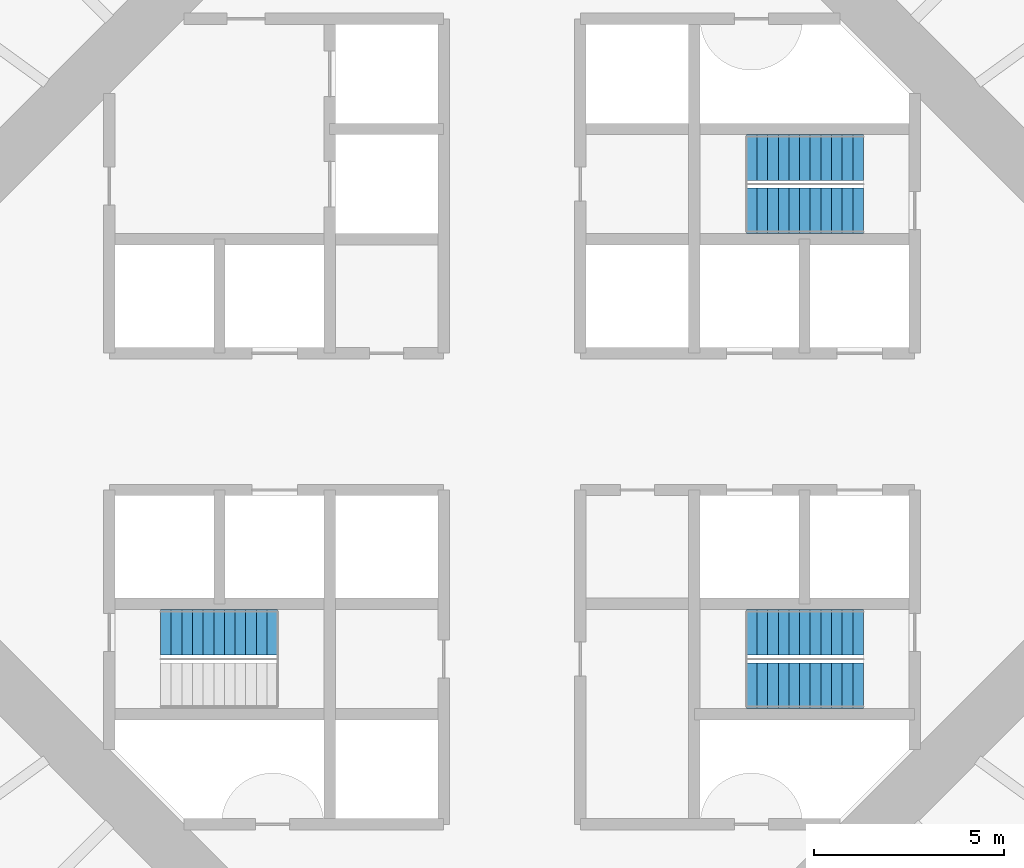
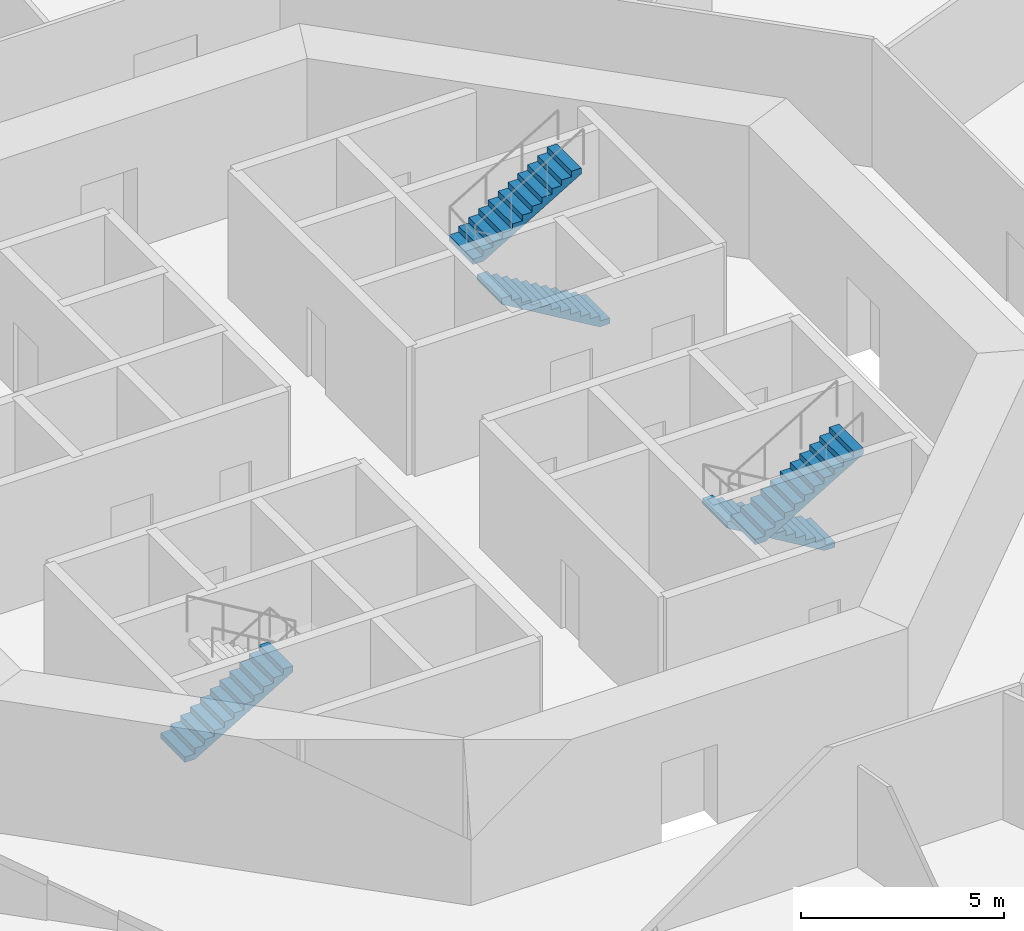
# One storey, part 6 of 13: 5 stair flights, 3 elements without a shape of their own.
"""IFC4 building model written with IfcOpenShell, lengths in metres."""

from ifc_helpers import new_model, si_unit, direction, frame, origin, place, context, subcontext, project, spatial, polyline, outline, extrude, material, type_object, element, aggregate, save


model = new_model("IFC4")

# Units and contexts
model_context = context("Model", 3, precision=1e-05, world=origin(), true_north=direction((0.0, 1.0)))
body_context = subcontext(model_context, "Body", "Model", "MODEL_VIEW")
ifc_project = project(units=[si_unit("LENGTHUNIT", "METRE"), si_unit("AREAUNIT", "SQUARE_METRE"), si_unit("VOLUMEUNIT", "CUBIC_METRE"), si_unit("PLANEANGLEUNIT", "RADIAN"), si_unit("MASSUNIT", "GRAM", prefix="KILO")], contexts=[model_context])

# Site, building, storey
site_placement = place(None, origin())
site = spatial("IfcSite", under=ifc_project, at=site_placement, CompositionType="ELEMENT")
building_placement = place(site_placement, origin())
building = spatial("IfcBuilding", under=site, at=building_placement, Name="Entoto Ring Tower", CompositionType="ELEMENT")
storey_placement = place(building_placement, frame((0.0, 0.0, 58.0)))
storey = spatial("IfcBuildingStorey", under=building, at=storey_placement, Name="L12", CompositionType="ELEMENT", Elevation=58.0)

# Stair, stair flights
ifc_material_1 = material(Name="Concrete C40/50", Category="concrete")
stair_type = type_object("IfcStairType", Name="Exit stair 1200 mm dog-leg reinforced concrete", PredefinedType="HALF_TURN_STAIR", material=ifc_material_1)
stair_1_placement = place(storey_placement, origin())
stair_1 = element("IfcStair", 1, at=stair_1_placement, inside=storey, type_object=stair_type, Name="Exit stair 1", PredefinedType="HALF_TURN_STAIR")
ifc_material_2 = material(Name="Concrete C40/50", Category="concrete")
stair_flight_type = type_object("IfcStairFlightType", Name="Stair flight 1200 mm reinforced concrete", PredefinedType="STRAIGHT", material=ifc_material_2)
stair_flight_1_placement = place(storey_placement, frame((99.25, 85.550048828125, 0.0), z_axis=(0.0, 0.0, 1.0), x_axis=(-1.0, 0.0, 0.0)))
stair_flight_1 = element("IfcStairFlight", 2, at=stair_flight_1_placement, type_object=stair_flight_type, Name="ST1 flight 1", NumberOfRisers=12, NumberOfTreads=11, PredefinedType="STRAIGHT", RiserHeight=0.166666667, TreadLength=0.28, context=body_context, shape_type="SweptSolid", body=[
    extrude(outline(polyline([(0.0, 0.0), (0.0, 0.166748046875), (0.280029296875, 0.166748046875), (0.280029296875, 0.333251953125), (0.56005859375, 0.333251953125), (0.56005859375, 0.5), (0.840087890625, 0.5), (0.840087890625, 0.666748046875), (1.1201171875, 0.666748046875), (1.1201171875, 0.833251953125), (1.39990234375, 0.833251953125), (1.39990234375, 1.0), (1.679931640625, 1.0), (1.679931640625, 1.166748046875), (1.9599609375, 1.166748046875), (1.9599609375, 1.333251953125), (2.239990234375, 1.333251953125), (2.239990234375, 1.5), (2.52001953125, 1.5), (2.52001953125, 1.666748046875), (2.800048828125, 1.666748046875), (2.800048828125, 1.833251953125), (3.080078125, 1.833251953125), (3.080078125, 2.0), (3.080078125, 1.658935546875), (0.29296875, 0.0), (0.0, 0.0)])), frame((0.0, 0.60009765625, 0.0), z_axis=(0.0, -1.0, 0.0), x_axis=(1.0, 0.0, 0.0)), (0.0, 0.0, 1.0), 1.199951171875),
])
stair_flight_2_placement = place(storey_placement, frame((96.169921875, 86.949951171875, 2.0), z_axis=(0.0, 0.0, 1.0), x_axis=(1.0, 0.0, 0.0)))
stair_flight_2 = element("IfcStairFlight", 3, at=stair_flight_2_placement, type_object=stair_flight_type, Name="ST1 flight 2", NumberOfRisers=12, NumberOfTreads=11, PredefinedType="STRAIGHT", RiserHeight=0.166666667, TreadLength=0.28, context=body_context, shape_type="SweptSolid", body=[
    extrude(outline(polyline([(0.0, 0.0), (0.0, 0.166748046875), (0.280029296875, 0.166748046875), (0.280029296875, 0.333251953125), (0.56005859375, 0.333251953125), (0.56005859375, 0.5), (0.840087890625, 0.5), (0.840087890625, 0.666748046875), (1.1201171875, 0.666748046875), (1.1201171875, 0.833251953125), (1.39990234375, 0.833251953125), (1.39990234375, 1.0), (1.679931640625, 1.0), (1.679931640625, 1.166748046875), (1.9599609375, 1.166748046875), (1.9599609375, 1.333251953125), (2.239990234375, 1.333251953125), (2.239990234375, 1.5), (2.52001953125, 1.5), (2.52001953125, 1.666748046875), (2.800048828125, 1.666748046875), (2.800048828125, 1.833251953125), (3.080078125, 1.833251953125), (3.080078125, 2.0), (3.080078125, 1.658935546875), (0.29296875, 0.0), (0.0, 0.0)])), frame((0.0, 0.60009765625, 0.0), z_axis=(0.0, -1.0, 0.0), x_axis=(1.0, 0.0, 0.0)), (0.0, 0.0, 1.0), 1.199951171875),
])
aggregate(stair_1, [stair_flight_1, stair_flight_2])

# Stair, stair flight
stair_2_placement = place(storey_placement, origin())
stair_2 = element("IfcStair", 4, at=stair_2_placement, inside=storey, type_object=stair_type, Name="Exit stair 2", PredefinedType="HALF_TURN_STAIR")
stair_flight_3_placement = place(storey_placement, frame((80.75, 74.449951171875, 0.0), z_axis=(0.0, 0.0, 1.0), x_axis=(1.0, 0.0, 0.0)))
stair_flight_3 = element("IfcStairFlight", 5, at=stair_flight_3_placement, type_object=stair_flight_type, Name="ST2 flight 1", NumberOfRisers=12, NumberOfTreads=11, PredefinedType="STRAIGHT", RiserHeight=0.166666667, TreadLength=0.28, context=body_context, shape_type="SweptSolid", body=[
    extrude(outline(polyline([(0.0, 0.0), (0.0, 0.166748046875), (0.280029296875, 0.166748046875), (0.280029296875, 0.333251953125), (0.56005859375, 0.333251953125), (0.56005859375, 0.5), (0.840087890625, 0.5), (0.840087890625, 0.666748046875), (1.1201171875, 0.666748046875), (1.1201171875, 0.833251953125), (1.39990234375, 0.833251953125), (1.39990234375, 1.0), (1.679931640625, 1.0), (1.679931640625, 1.166748046875), (1.9599609375, 1.166748046875), (1.9599609375, 1.333251953125), (2.239990234375, 1.333251953125), (2.239990234375, 1.5), (2.52001953125, 1.5), (2.52001953125, 1.666748046875), (2.800048828125, 1.666748046875), (2.800048828125, 1.833251953125), (3.080078125, 1.833251953125), (3.080078125, 2.0), (3.080078125, 1.658935546875), (0.29296875, 0.0), (0.0, 0.0)])), frame((0.0, 0.60009765625, 0.0), z_axis=(0.0, -1.0, 0.0), x_axis=(1.0, 0.0, 0.0)), (0.0, 0.0, 1.0), 1.199951171875),
])
aggregate(stair_2, [stair_flight_3])

# Stair, stair flights
stair_3_placement = place(storey_placement, origin())
stair_3 = element("IfcStair", 6, at=stair_3_placement, inside=storey, type_object=stair_type, Name="Exit stair 3", PredefinedType="HALF_TURN_STAIR")
stair_flight_4_placement = place(storey_placement, frame((99.25, 74.449951171875, 0.0), z_axis=(0.0, 0.0, 1.0), x_axis=(-1.0, 0.0, 0.0)))
stair_flight_4 = element("IfcStairFlight", 7, at=stair_flight_4_placement, type_object=stair_flight_type, Name="ST3 flight 1", NumberOfRisers=12, NumberOfTreads=11, PredefinedType="STRAIGHT", RiserHeight=0.166666667, TreadLength=0.28, context=body_context, shape_type="SweptSolid", body=[
    extrude(outline(polyline([(0.0, 0.0), (0.0, 0.166748046875), (0.280029296875, 0.166748046875), (0.280029296875, 0.333251953125), (0.56005859375, 0.333251953125), (0.56005859375, 0.5), (0.840087890625, 0.5), (0.840087890625, 0.666748046875), (1.1201171875, 0.666748046875), (1.1201171875, 0.833251953125), (1.39990234375, 0.833251953125), (1.39990234375, 1.0), (1.679931640625, 1.0), (1.679931640625, 1.166748046875), (1.9599609375, 1.166748046875), (1.9599609375, 1.333251953125), (2.239990234375, 1.333251953125), (2.239990234375, 1.5), (2.52001953125, 1.5), (2.52001953125, 1.666748046875), (2.800048828125, 1.666748046875), (2.800048828125, 1.833251953125), (3.080078125, 1.833251953125), (3.080078125, 2.0), (3.080078125, 1.658935546875), (0.29296875, 0.0), (0.0, 0.0)])), frame((0.0, 0.60009765625, 0.0), z_axis=(0.0, -1.0, 0.0), x_axis=(1.0, 0.0, 0.0)), (0.0, 0.0, 1.0), 1.199951171875),
])
stair_flight_5_placement = place(storey_placement, frame((96.169921875, 73.050048828125, 2.0), z_axis=(0.0, 0.0, 1.0), x_axis=(1.0, 0.0, 0.0)))
stair_flight_5 = element("IfcStairFlight", 8, at=stair_flight_5_placement, type_object=stair_flight_type, Name="ST3 flight 2", NumberOfRisers=12, NumberOfTreads=11, PredefinedType="STRAIGHT", RiserHeight=0.166666667, TreadLength=0.28, context=body_context, shape_type="SweptSolid", body=[
    extrude(outline(polyline([(0.0, 0.0), (0.0, 0.166748046875), (0.280029296875, 0.166748046875), (0.280029296875, 0.333251953125), (0.56005859375, 0.333251953125), (0.56005859375, 0.5), (0.840087890625, 0.5), (0.840087890625, 0.666748046875), (1.1201171875, 0.666748046875), (1.1201171875, 0.833251953125), (1.39990234375, 0.833251953125), (1.39990234375, 1.0), (1.679931640625, 1.0), (1.679931640625, 1.166748046875), (1.9599609375, 1.166748046875), (1.9599609375, 1.333251953125), (2.239990234375, 1.333251953125), (2.239990234375, 1.5), (2.52001953125, 1.5), (2.52001953125, 1.666748046875), (2.800048828125, 1.666748046875), (2.800048828125, 1.833251953125), (3.080078125, 1.833251953125), (3.080078125, 2.0), (3.080078125, 1.658935546875), (0.29296875, 0.0), (0.0, 0.0)])), frame((0.0, 0.60009765625, 0.0), z_axis=(0.0, -1.0, 0.0), x_axis=(1.0, 0.0, 0.0)), (0.0, 0.0, 1.0), 1.199951171875),
])
aggregate(stair_3, [stair_flight_4, stair_flight_5])

save(model, "model.ifc")
